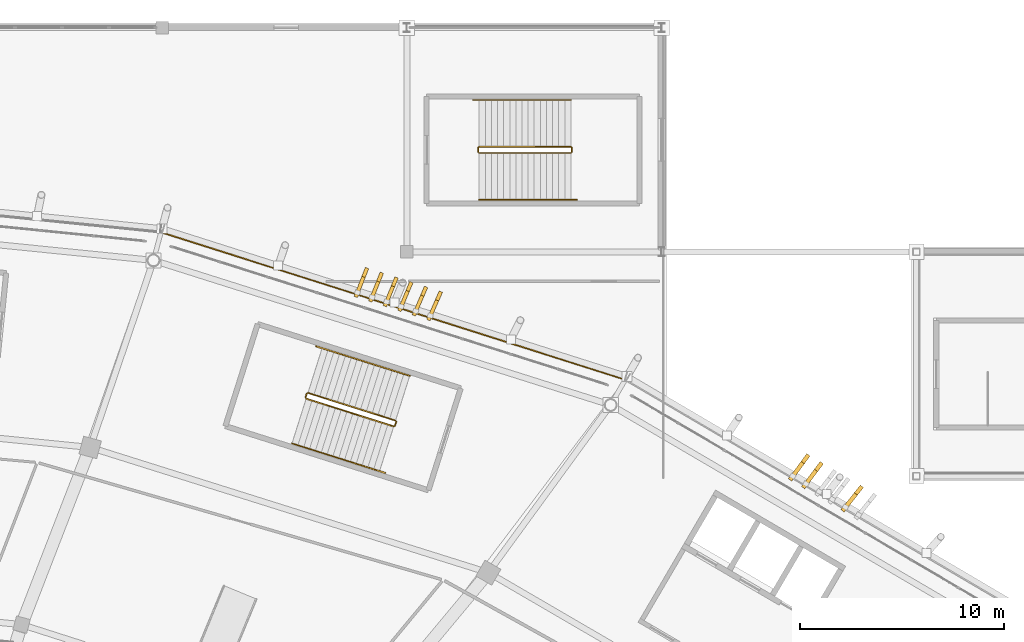
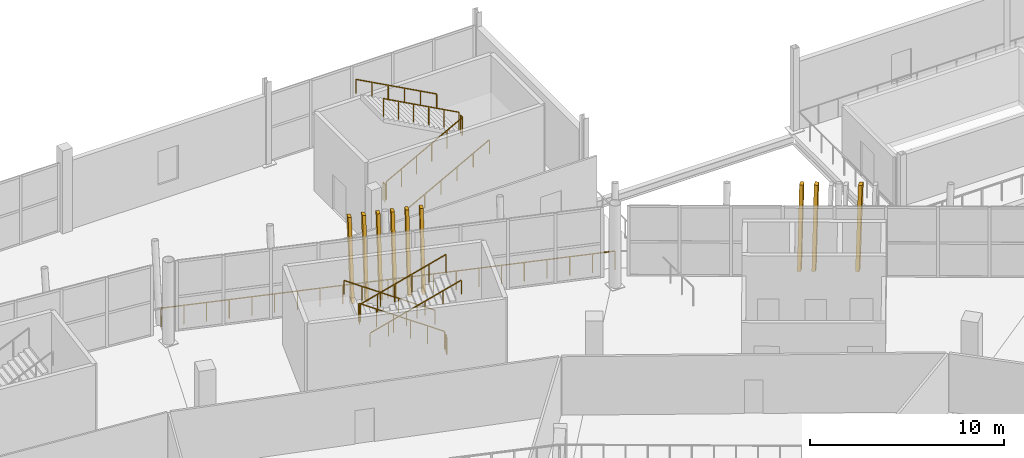
# One storey, part 177 of 178: 13 railings, 9 shading devices.
"""IFC4 building model written with IfcOpenShell, lengths in metres."""

from ifc_helpers import new_model, si_unit, direction, frame, origin, origin_2d, place, context, subcontext, project, spatial, rectangle, extrude, material, material_profile, profile_set, type_object, element, save


model = new_model("IFC4")

# Units and contexts
model_context = context("Model", 3, precision=1e-05, world=origin(), true_north=direction((0.0, 1.0)))
body_context = subcontext(model_context, "Body", "Model", "MODEL_VIEW")
ifc_project = project(units=[si_unit("LENGTHUNIT", "METRE"), si_unit("AREAUNIT", "SQUARE_METRE"), si_unit("VOLUMEUNIT", "CUBIC_METRE"), si_unit("PLANEANGLEUNIT", "RADIAN"), si_unit("MASSUNIT", "GRAM", prefix="KILO")], contexts=[model_context])

# Site, building, storey
site_placement = place(None, origin())
site = spatial("IfcSite", under=ifc_project, at=site_placement, CompositionType="ELEMENT")
building_placement = place(site_placement, origin())
building = spatial("IfcBuilding", under=site, at=building_placement, Name="Zlatoyarsky Gate Stadium", CompositionType="ELEMENT")
storey_placement = place(building_placement, frame((0.0, 0.0, 5.39990234375)))
storey = spatial("IfcBuildingStorey", under=building, at=storey_placement, Name="L01", CompositionType="ELEMENT", Elevation=5.39990234375)

# Railings
ifc_material_1 = material(Name="Powder-coated steel tubular guardrail", Category="steel")
railing_type_1 = type_object("IfcRailingType", Name="CONCOURSE SLAB EDGE GUARDRAIL 1200", PredefinedType="GUARDRAIL", material=ifc_material_1)
railing_1_placement = place(storey_placement, frame((158.214111328125, 142.724853515625, 0.0)))
element("IfcRailing", 1, at=railing_1_placement, inside=storey, type_object=railing_type_1, Name="L01 outer slab edge guardrail 04", PredefinedType="GUARDRAIL", context=body_context, shape_type="SweptSolid", body=[
    extrude(rectangle(XDim=0.048095703125, YDim=0.048095703125, at=origin_2d()), frame((0.0, 0.0, 1.17578125), z_axis=(-0.953052496014, 0.302805118584, 0.0), x_axis=(-0.302805118584, -0.953052496014, 0.0)), (0.0, 0.0, 1.0), 23.89599609375),
    extrude(rectangle(XDim=0.0419921875, YDim=0.0419921875, at=origin_2d()), origin(), (0.0, 0.0, 1.0), 1.15185546875),
    extrude(rectangle(XDim=0.0419921875, YDim=0.0419921875, at=origin_2d()), frame((-1.138671875, 0.36181640625, 0.0)), (0.0, 0.0, 1.0), 1.15185546875),
    extrude(rectangle(XDim=0.0419921875, YDim=0.0419921875, at=origin_2d()), frame((-2.27734375, 0.7236328125, 0.0)), (0.0, 0.0, 1.0), 1.15185546875),
    extrude(rectangle(XDim=0.0419921875, YDim=0.0419921875, at=origin_2d()), frame((-3.416015625, 1.08544921875, 0.0)), (0.0, 0.0, 1.0), 1.15185546875),
    extrude(rectangle(XDim=0.0419921875, YDim=0.0419921875, at=origin_2d()), frame((-4.554931640625, 1.447265625, 0.0)), (0.0, 0.0, 1.0), 1.15185546875),
    extrude(rectangle(XDim=0.0419921875, YDim=0.0419921875, at=origin_2d()), frame((-5.693603515625, 1.80908203125, 0.0)), (0.0, 0.0, 1.0), 1.15185546875),
    extrude(rectangle(XDim=0.0419921875, YDim=0.0419921875, at=origin_2d()), frame((-6.832275390625, 2.170654296875, 0.0)), (0.0, 0.0, 1.0), 1.15185546875),
    extrude(rectangle(XDim=0.0419921875, YDim=0.0419921875, at=origin_2d()), frame((-7.970947265625, 2.532470703125, 0.0)), (0.0, 0.0, 1.0), 1.15185546875),
    extrude(rectangle(XDim=0.0419921875, YDim=0.0419921875, at=origin_2d()), frame((-9.109619140625, 2.894287109375, 0.0)), (0.0, 0.0, 1.0), 1.15185546875),
    extrude(rectangle(XDim=0.0419921875, YDim=0.0419921875, at=origin_2d()), frame((-10.248291015625, 3.256103515625, 0.0)), (0.0, 0.0, 1.0), 1.15185546875),
    extrude(rectangle(XDim=0.0419921875, YDim=0.0419921875, at=origin_2d()), frame((-11.38720703125, 3.617919921875, 0.0)), (0.0, 0.0, 1.0), 1.15185546875),
    extrude(rectangle(XDim=0.0419921875, YDim=0.0419921875, at=origin_2d()), frame((-12.52587890625, 3.979736328125, 0.0)), (0.0, 0.0, 1.0), 1.15185546875),
    extrude(rectangle(XDim=0.0419921875, YDim=0.0419921875, at=origin_2d()), frame((-13.66455078125, 4.341552734375, 0.0)), (0.0, 0.0, 1.0), 1.15185546875),
    extrude(rectangle(XDim=0.0419921875, YDim=0.0419921875, at=origin_2d()), frame((-14.80322265625, 4.703369140625, 0.0)), (0.0, 0.0, 1.0), 1.15185546875),
    extrude(rectangle(XDim=0.0419921875, YDim=0.0419921875, at=origin_2d()), frame((-15.94189453125, 5.065185546875, 0.0)), (0.0, 0.0, 1.0), 1.15185546875),
    extrude(rectangle(XDim=0.0419921875, YDim=0.0419921875, at=origin_2d()), frame((-17.08056640625, 5.4267578125, 0.0)), (0.0, 0.0, 1.0), 1.15185546875),
    extrude(rectangle(XDim=0.0419921875, YDim=0.0419921875, at=origin_2d()), frame((-18.21923828125, 5.78857421875, 0.0)), (0.0, 0.0, 1.0), 1.15185546875),
    extrude(rectangle(XDim=0.0419921875, YDim=0.0419921875, at=origin_2d()), frame((-19.358154296875, 6.150390625, 0.0)), (0.0, 0.0, 1.0), 1.15185546875),
    extrude(rectangle(XDim=0.0419921875, YDim=0.0419921875, at=origin_2d()), frame((-20.496826171875, 6.51220703125, 0.0)), (0.0, 0.0, 1.0), 1.15185546875),
    extrude(rectangle(XDim=0.0419921875, YDim=0.0419921875, at=origin_2d()), frame((-21.635498046875, 6.8740234375, 0.0)), (0.0, 0.0, 1.0), 1.15185546875),
    extrude(rectangle(XDim=0.0419921875, YDim=0.0419921875, at=origin_2d()), frame((-22.774169921875, 7.23583984375, 0.0)), (0.0, 0.0, 1.0), 1.15185546875),
])
ifc_material_2 = material(Name="Powder-coated steel stair guardrail", Category="steel")
railing_type_2 = type_object("IfcRailingType", Name="PAINTED STEEL STAIR WELL GUARDRAIL 1150", PredefinedType="GUARDRAIL", material=ifc_material_2)
railing_2_placement = place(storey_placement, frame((146.94482421875, 140.7236328125, 0.16259765625)))
element("IfcRailing", 2, at=railing_2_placement, inside=storey, type_object=railing_type_2, Name="ST-03 L01 stair guard 1", PredefinedType="GUARDRAIL", context=body_context, shape_type="SweptSolid", body=[
    extrude(rectangle(XDim=0.048095703125, YDim=0.048095703125, at=origin_2d()), frame((0.0, 0.0, 1.1259765625), z_axis=(-0.838373688644, 0.26509858813, 0.476290139264), x_axis=(-0.301492268635, -0.953468621378, 0.0)), (0.0, 0.0, 1.0), 5.11767578125),
    extrude(rectangle(XDim=0.0419921875, YDim=0.0419921875, at=origin_2d()), origin(), (0.0, 0.0, 1.0), 1.101806640625),
    extrude(rectangle(XDim=0.0419921875, YDim=0.0419921875, at=origin_2d()), frame((-0.858154296875, 0.271240234375, 0.487548828125)), (0.0, 0.0, 1.0), 1.101806640625),
    extrude(rectangle(XDim=0.0419921875, YDim=0.0419921875, at=origin_2d()), frame((-1.71630859375, 0.542724609375, 0.97509765625)), (0.0, 0.0, 1.0), 1.101806640625),
    extrude(rectangle(XDim=0.0419921875, YDim=0.0419921875, at=origin_2d()), frame((-2.57421875, 0.81396484375, 1.46240234375)), (0.0, 0.0, 1.0), 1.101806640625),
    extrude(rectangle(XDim=0.0419921875, YDim=0.0419921875, at=origin_2d()), frame((-3.432373046875, 1.08544921875, 1.949951171875)), (0.0, 0.0, 1.0), 1.101806640625),
    extrude(rectangle(XDim=0.0419921875, YDim=0.0419921875, at=origin_2d()), frame((-4.29052734375, 1.356689453125, 2.4375)), (0.0, 0.0, 1.0), 1.101806640625),
])
railing_3_placement = place(storey_placement, frame((142.591552734375, 142.0478515625, 2.60009765625)))
element("IfcRailing", 3, at=railing_3_placement, inside=storey, type_object=railing_type_2, Name="ST-03 L01 stair guard 2", PredefinedType="GUARDRAIL", context=body_context, shape_type="SweptSolid", body=[
    extrude(rectangle(XDim=0.048095703125, YDim=0.048095703125, at=origin_2d()), frame((0.0, 0.0, 1.1259765625), z_axis=(-0.301540327315, -0.953453423615, 0.0), x_axis=(0.953453423615, -0.301540327315, 0.0)), (0.0, 0.0, 1.0), 0.199951171875),
    extrude(rectangle(XDim=0.0419921875, YDim=0.0419921875, at=origin_2d()), origin(), (0.0, 0.0, 1.0), 1.101806640625),
    extrude(rectangle(XDim=0.0419921875, YDim=0.0419921875, at=origin_2d()), frame((-0.060302734375, -0.190673828125, 0.0)), (0.0, 0.0, 1.0), 1.101806640625),
])
railing_4_placement = place(storey_placement, frame((142.563720703125, 141.79443359375, 2.7626953125)))
element("IfcRailing", 4, at=railing_4_placement, inside=storey, type_object=railing_type_2, Name="ST-03 L01 stair guard 3", PredefinedType="GUARDRAIL", context=body_context, shape_type="SweptSolid", body=[
    extrude(rectangle(XDim=0.048095703125, YDim=0.048095703125, at=origin_2d()), frame((0.0, 0.0, 1.1259765625), z_axis=(0.838363085299, -0.26514294003, 0.476284115376), x_axis=(0.301541590324, 0.953453024173, 0.0)), (0.0, 0.0, 1.0), 5.11767578125),
    extrude(rectangle(XDim=0.0419921875, YDim=0.0419921875, at=origin_2d()), origin(), (0.0, 0.0, 1.0), 1.101806640625),
    extrude(rectangle(XDim=0.0419921875, YDim=0.0419921875, at=origin_2d()), frame((0.858154296875, -0.271484375, 0.487548828125)), (0.0, 0.0, 1.0), 1.101806640625),
    extrude(rectangle(XDim=0.0419921875, YDim=0.0419921875, at=origin_2d()), frame((1.71630859375, -0.542724609375, 0.97509765625)), (0.0, 0.0, 1.0), 1.101806640625),
    extrude(rectangle(XDim=0.0419921875, YDim=0.0419921875, at=origin_2d()), frame((2.57421875, -0.814208984375, 1.46240234375)), (0.0, 0.0, 1.0), 1.101806640625),
    extrude(rectangle(XDim=0.0419921875, YDim=0.0419921875, at=origin_2d()), frame((3.432373046875, -1.08544921875, 1.949951171875)), (0.0, 0.0, 1.0), 1.101806640625),
    extrude(rectangle(XDim=0.0419921875, YDim=0.0419921875, at=origin_2d()), frame((4.29052734375, -1.35693359375, 2.4375)), (0.0, 0.0, 1.0), 1.101806640625),
])
railing_5_placement = place(storey_placement, frame((146.977294921875, 140.660888671875, 0.0)))
element("IfcRailing", 5, at=railing_5_placement, inside=storey, type_object=railing_type_2, Name="ST-03 L01 stair guard 4", PredefinedType="GUARDRAIL", context=body_context, shape_type="SweptSolid", body=[
    extrude(rectangle(XDim=0.048095703125, YDim=0.048095703125, at=origin_2d()), frame((0.0, 0.0, 1.1259765625), z_axis=(-0.301540327315, -0.953453423615, 0.0), x_axis=(0.953453423615, -0.301540327315, 0.0)), (0.0, 0.0, 1.0), 0.199951171875),
    extrude(rectangle(XDim=0.0419921875, YDim=0.0419921875, at=origin_2d()), origin(), (0.0, 0.0, 1.0), 1.101806640625),
    extrude(rectangle(XDim=0.0419921875, YDim=0.0419921875, at=origin_2d()), frame((-0.060302734375, -0.190673828125, 0.0)), (0.0, 0.0, 1.0), 1.101806640625),
])
railing_6_placement = place(storey_placement, frame((151.050048828125, 153.85009765625, 0.16259765625)))
element("IfcRailing", 6, at=railing_6_placement, inside=storey, type_object=railing_type_2, Name="ST-32 L01 stair guard 1", PredefinedType="GUARDRAIL", context=body_context, shape_type="SweptSolid", body=[
    extrude(rectangle(XDim=0.048095703125, YDim=0.048095703125, at=origin_2d()), frame((0.0, 0.0, 1.1259765625), z_axis=(0.879291966537, 0.0, 0.476283148541), x_axis=(0.0, 1.0, 0.0)), (0.0, 0.0, 1.0), 5.11767578125),
    extrude(rectangle(XDim=0.0419921875, YDim=0.0419921875, at=origin_2d()), origin(), (0.0, 0.0, 1.0), 1.101806640625),
    extrude(rectangle(XDim=0.0419921875, YDim=0.0419921875, at=origin_2d()), frame((0.89990234375, 0.0, 0.487548828125)), (0.0, 0.0, 1.0), 1.101806640625),
    extrude(rectangle(XDim=0.0419921875, YDim=0.0419921875, at=origin_2d()), frame((1.800048828125, 0.0, 0.97509765625)), (0.0, 0.0, 1.0), 1.101806640625),
    extrude(rectangle(XDim=0.0419921875, YDim=0.0419921875, at=origin_2d()), frame((2.699951171875, 0.0, 1.46240234375)), (0.0, 0.0, 1.0), 1.101806640625),
    extrude(rectangle(XDim=0.0419921875, YDim=0.0419921875, at=origin_2d()), frame((3.60009765625, 0.0, 1.949951171875)), (0.0, 0.0, 1.0), 1.101806640625),
    extrude(rectangle(XDim=0.0419921875, YDim=0.0419921875, at=origin_2d()), frame((4.5, 0.0, 2.4375)), (0.0, 0.0, 1.0), 1.101806640625),
])
railing_7_placement = place(storey_placement, frame((155.60009765625, 153.89990234375, 2.60009765625)))
element("IfcRailing", 7, at=railing_7_placement, inside=storey, type_object=railing_type_2, Name="ST-32 L01 stair guard 2", PredefinedType="GUARDRAIL", context=body_context, shape_type="SweptSolid", body=[
    extrude(rectangle(XDim=0.048095703125, YDim=0.048095703125, at=origin_2d()), frame((0.0, 0.0, 1.1259765625), z_axis=(0.0, 1.0, 0.0), x_axis=(-1.0, 0.0, 0.0)), (0.0, 0.0, 1.0), 0.2001953125),
    extrude(rectangle(XDim=0.0419921875, YDim=0.0419921875, at=origin_2d()), origin(), (0.0, 0.0, 1.0), 1.101806640625),
    extrude(rectangle(XDim=0.0419921875, YDim=0.0419921875, at=origin_2d()), frame((0.0, 0.2001953125, 0.0)), (0.0, 0.0, 1.0), 1.101806640625),
])
railing_8_placement = place(storey_placement, frame((155.550048828125, 154.14990234375, 2.7626953125)))
element("IfcRailing", 8, at=railing_8_placement, inside=storey, type_object=railing_type_2, Name="ST-32 L01 stair guard 3", PredefinedType="GUARDRAIL", context=body_context, shape_type="SweptSolid", body=[
    extrude(rectangle(XDim=0.048095703125, YDim=0.048095703125, at=origin_2d()), frame((0.0, 0.0, 1.1259765625), z_axis=(-0.879291966537, 0.0, 0.476283148541), x_axis=(0.0, -1.0, 0.0)), (0.0, 0.0, 1.0), 5.11767578125),
    extrude(rectangle(XDim=0.0419921875, YDim=0.0419921875, at=origin_2d()), origin(), (0.0, 0.0, 1.0), 1.101806640625),
    extrude(rectangle(XDim=0.0419921875, YDim=0.0419921875, at=origin_2d()), frame((-0.89990234375, 0.0, 0.487548828125)), (0.0, 0.0, 1.0), 1.101806640625),
    extrude(rectangle(XDim=0.0419921875, YDim=0.0419921875, at=origin_2d()), frame((-1.800048828125, 0.0, 0.97509765625)), (0.0, 0.0, 1.0), 1.101806640625),
    extrude(rectangle(XDim=0.0419921875, YDim=0.0419921875, at=origin_2d()), frame((-2.699951171875, 0.0, 1.46240234375)), (0.0, 0.0, 1.0), 1.101806640625),
    extrude(rectangle(XDim=0.0419921875, YDim=0.0419921875, at=origin_2d()), frame((-3.60009765625, 0.0, 1.949951171875)), (0.0, 0.0, 1.0), 1.101806640625),
    extrude(rectangle(XDim=0.0419921875, YDim=0.0419921875, at=origin_2d()), frame((-4.5, 0.0, 2.4375)), (0.0, 0.0, 1.0), 1.101806640625),
])
railing_9_placement = place(storey_placement, frame((151.0, 153.89990234375, 0.0)))
element("IfcRailing", 9, at=railing_9_placement, inside=storey, type_object=railing_type_2, Name="ST-32 L01 stair guard 4", PredefinedType="GUARDRAIL", context=body_context, shape_type="SweptSolid", body=[
    extrude(rectangle(XDim=0.048095703125, YDim=0.048095703125, at=origin_2d()), frame((0.0, 0.0, 1.1259765625), z_axis=(0.0, 1.0, 0.0), x_axis=(-1.0, 0.0, 0.0)), (0.0, 0.0, 1.0), 0.2001953125),
    extrude(rectangle(XDim=0.0419921875, YDim=0.0419921875, at=origin_2d()), origin(), (0.0, 0.0, 1.0), 1.101806640625),
    extrude(rectangle(XDim=0.0419921875, YDim=0.0419921875, at=origin_2d()), frame((0.0, 0.2001953125, 0.0)), (0.0, 0.0, 1.0), 1.101806640625),
])

# Shading devices
ifc_material_3 = material(Name="Precast concrete C40/50 stone-toned architectural rib", Category="masonry")
ifc_material_profile_1 = material_profile(ifc_material_3, rectangle(XDim=0.199951171875, YDim=0.47998046875, at=origin_2d()), Name="RIB 200X480")
ifc_profile_set_1 = profile_set([ifc_material_profile_1], Name="Precast concrete C40/50 stone-toned architectural rib")
shading_device_type_1 = type_object("IfcShadingDeviceType", Name="PRECAST FLUTED GATE LOUVRE BLADE 200X480", PredefinedType="SHUTTER", material=ifc_profile_set_1)
for number, where, z_axis, x_axis, name in (
    (10, (169.0224609375, 136.477783203125, -0.010009765625), (0.136562486548, 0.173196238528, 0.97537364647), (-0.785260537783, 0.619165476913, 0.0), "Leaning bowl louvre fin L01-03-2"),
    (11, (167.08349609375, 137.619140625, -0.010009765625), (0.131982167362, 0.176756379883, 0.975365515932), (-0.801271376225, 0.598301079426, 0.0), "Leaning bowl louvre fin L01-03-5"),
    (12, (166.437255859375, 137.999755859375, -0.010009765625), (0.130456010156, 0.17787605753, 0.975367283423), (-0.806375662804, 0.591403661164, 0.0), "Leaning bowl louvre fin L01-03-6"),
):
    element("IfcShadingDevice", number, at=place(storey_placement, frame(where, z_axis=z_axis, x_axis=x_axis)), inside=storey, type_object=shading_device_type_1, Name=name, PredefinedType="SHUTTER", context=body_context, shape_type="SweptSolid", body=[
        extrude(rectangle(XDim=0.199951171875, YDim=0.47998046875, at=origin_2d()), origin(), (0.0, 0.0, 1.0), 4.79833984375),
    ])
ifc_material_profile_2 = material_profile(ifc_material_3, rectangle(XDim=0.179931640625, YDim=0.47998046875, at=origin_2d()), Name="RIB 180X480")
ifc_profile_set_2 = profile_set([ifc_material_profile_2], Name="Precast concrete C40/50 stone-toned architectural rib")
shading_device_type_2 = type_object("IfcShadingDeviceType", Name="PRECAST RIBBED BOWL LOUVRE FIN 180X480", PredefinedType="JALOUSIE", material=ifc_profile_set_2)
for number, where, z_axis, x_axis, name in (
    (13, (148.652099609375, 145.866455078125, -0.010009765625), (0.08858234327, 0.201994200333, 0.97537249884), (-0.915807560248, 0.40161737088, 0.0), "Leaning bowl louvre fin L01-04-1"),
    (14, (147.937255859375, 146.093505859375, -0.010009765625), (0.086902678707, 0.202755957053, 0.975365544969), (-0.919133099517, 0.393947135251, 0.0), "Leaning bowl louvre fin L01-04-2"),
    (15, (147.222412109375, 146.32080078125, -0.010009765625), (0.085224512749, 0.203419463862, 0.975375468294), (-0.92232437715, 0.386416541202, 0.0), "Leaning bowl louvre fin L01-04-3"),
    (16, (146.5078125, 146.5478515625, -0.010009765625), (0.083545172937, 0.204131080283, 0.975372085997), (-0.92548815227, 0.378776556836, 0.0), "Leaning bowl louvre fin L01-04-4"),
    (17, (145.79296875, 146.775146484375, -0.010009765625), (0.081866425579, 0.204793264733, 0.975375623585), (-0.928556220344, 0.37119179094, 0.0), "Leaning bowl louvre fin L01-04-5"),
    (18, (145.078125, 147.002197265625, -0.010009765625), (0.080186566557, 0.205503516702, 0.975365787367), (-0.93159286034, 0.363503428545, 0.0), "Leaning bowl louvre fin L01-04-6"),
):
    element("IfcShadingDevice", number, at=place(storey_placement, frame(where, z_axis=z_axis, x_axis=x_axis)), inside=storey, type_object=shading_device_type_2, Name=name, PredefinedType="JALOUSIE", context=body_context, shape_type="SweptSolid", body=[
        extrude(rectangle(XDim=0.179931640625, YDim=0.47998046875, at=origin_2d()), origin(), (0.0, 0.0, 1.0), 4.79833984375),
    ])

# Railings
ifc_material_4 = material(Name="Brushed stainless steel 316 handrail", Category="steel")
railing_type_3 = type_object("IfcRailingType", Name="STAINLESS STEEL TUBULAR HANDRAIL 900", PredefinedType="HANDRAIL", material=ifc_material_4)
railing_10_placement = place(storey_placement, frame((147.63818359375, 142.91650390625, 0.16650390625)))
element("IfcRailing", 19, at=railing_10_placement, inside=storey, type_object=railing_type_3, Name="ST-03 L01 stair handrail 1", PredefinedType="HANDRAIL", context=body_context, shape_type="SweptSolid", body=[
    extrude(rectangle(XDim=0.048095703125, YDim=0.048095703125, at=origin_2d()), frame((0.0, 0.0, 0.8759765625), z_axis=(-0.838366559486, 0.265114529213, 0.476293815135), x_axis=(-0.301511080938, -0.953462672616, 0.0)), (0.0, 0.0, 1.0), 5.458984375),
    extrude(rectangle(XDim=0.0419921875, YDim=0.0419921875, at=origin_2d()), origin(), (0.0, 0.0, 1.0), 0.851806640625),
    extrude(rectangle(XDim=0.0419921875, YDim=0.0419921875, at=origin_2d()), frame((-0.915283203125, 0.28955078125, 0.52001953125)), (0.0, 0.0, 1.0), 0.851806640625),
    extrude(rectangle(XDim=0.0419921875, YDim=0.0419921875, at=origin_2d()), frame((-1.83056640625, 0.578857421875, 1.0400390625)), (0.0, 0.0, 1.0), 0.851806640625),
    extrude(rectangle(XDim=0.0419921875, YDim=0.0419921875, at=origin_2d()), frame((-2.74609375, 0.868408203125, 1.56005859375)), (0.0, 0.0, 1.0), 0.851806640625),
    extrude(rectangle(XDim=0.0419921875, YDim=0.0419921875, at=origin_2d()), frame((-3.661376953125, 1.15771484375, 2.080078125)), (0.0, 0.0, 1.0), 0.851806640625),
    extrude(rectangle(XDim=0.0419921875, YDim=0.0419921875, at=origin_2d()), frame((-4.57666015625, 1.447265625, 2.60009765625)), (0.0, 0.0, 1.0), 0.851806640625),
])
railing_11_placement = place(storey_placement, frame((141.870361328125, 139.601318359375, 2.7666015625)))
element("IfcRailing", 20, at=railing_11_placement, inside=storey, type_object=railing_type_3, Name="ST-03 L01 stair handrail 2", PredefinedType="HANDRAIL", context=body_context, shape_type="SweptSolid", body=[
    extrude(rectangle(XDim=0.048095703125, YDim=0.048095703125, at=origin_2d()), frame((0.0, 0.0, 0.8759765625), z_axis=(0.83835326985, -0.265124469654, 0.476311673721), x_axis=(0.301525703453, 0.953458048452, 0.0)), (0.0, 0.0, 1.0), 5.458740234375),
    extrude(rectangle(XDim=0.0419921875, YDim=0.0419921875, at=origin_2d()), origin(), (0.0, 0.0, 1.0), 0.851806640625),
    extrude(rectangle(XDim=0.0419921875, YDim=0.0419921875, at=origin_2d()), frame((0.915283203125, -0.28955078125, 0.52001953125)), (0.0, 0.0, 1.0), 0.851806640625),
    extrude(rectangle(XDim=0.0419921875, YDim=0.0419921875, at=origin_2d()), frame((1.83056640625, -0.578857421875, 1.0400390625)), (0.0, 0.0, 1.0), 0.851806640625),
    extrude(rectangle(XDim=0.0419921875, YDim=0.0419921875, at=origin_2d()), frame((2.745849609375, -0.868408203125, 1.56005859375)), (0.0, 0.0, 1.0), 0.851806640625),
    extrude(rectangle(XDim=0.0419921875, YDim=0.0419921875, at=origin_2d()), frame((3.6611328125, -1.15771484375, 2.080078125)), (0.0, 0.0, 1.0), 0.851806640625),
    extrude(rectangle(XDim=0.0419921875, YDim=0.0419921875, at=origin_2d()), frame((4.576416015625, -1.447265625, 2.60009765625)), (0.0, 0.0, 1.0), 0.851806640625),
])
railing_12_placement = place(storey_placement, frame((151.050048828125, 151.550048828125, 0.16650390625)))
element("IfcRailing", 21, at=railing_12_placement, inside=storey, type_object=railing_type_3, Name="ST-32 L01 stair handrail 1", PredefinedType="HANDRAIL", context=body_context, shape_type="SweptSolid", body=[
    extrude(rectangle(XDim=0.048095703125, YDim=0.048095703125, at=origin_2d()), frame((0.0, 0.0, 0.8759765625), z_axis=(0.879286503747, 0.0, 0.476293233554), x_axis=(0.0, 1.0, 0.0)), (0.0, 0.0, 1.0), 5.458984375),
    extrude(rectangle(XDim=0.0419921875, YDim=0.0419921875, at=origin_2d()), origin(), (0.0, 0.0, 1.0), 0.851806640625),
    extrude(rectangle(XDim=0.0419921875, YDim=0.0419921875, at=origin_2d()), frame((0.9599609375, 0.0, 0.52001953125)), (0.0, 0.0, 1.0), 0.851806640625),
    extrude(rectangle(XDim=0.0419921875, YDim=0.0419921875, at=origin_2d()), frame((1.919921875, 0.0, 1.0400390625)), (0.0, 0.0, 1.0), 0.851806640625),
    extrude(rectangle(XDim=0.0419921875, YDim=0.0419921875, at=origin_2d()), frame((2.880126953125, 0.0, 1.56005859375)), (0.0, 0.0, 1.0), 0.851806640625),
    extrude(rectangle(XDim=0.0419921875, YDim=0.0419921875, at=origin_2d()), frame((3.840087890625, 0.0, 2.080078125)), (0.0, 0.0, 1.0), 0.851806640625),
    extrude(rectangle(XDim=0.0419921875, YDim=0.0419921875, at=origin_2d()), frame((4.800048828125, 0.0, 2.60009765625)), (0.0, 0.0, 1.0), 0.851806640625),
])
railing_13_placement = place(storey_placement, frame((155.550048828125, 156.449951171875, 2.7666015625)))
element("IfcRailing", 22, at=railing_13_placement, inside=storey, type_object=railing_type_3, Name="ST-32 L01 stair handrail 2", PredefinedType="HANDRAIL", context=body_context, shape_type="SweptSolid", body=[
    extrude(rectangle(XDim=0.048095703125, YDim=0.048095703125, at=origin_2d()), frame((0.0, 0.0, 0.8759765625), z_axis=(-0.879286503747, 0.0, 0.476293233554), x_axis=(0.0, -1.0, 0.0)), (0.0, 0.0, 1.0), 5.458984375),
    extrude(rectangle(XDim=0.0419921875, YDim=0.0419921875, at=origin_2d()), origin(), (0.0, 0.0, 1.0), 0.851806640625),
    extrude(rectangle(XDim=0.0419921875, YDim=0.0419921875, at=origin_2d()), frame((-0.9599609375, 0.0, 0.52001953125)), (0.0, 0.0, 1.0), 0.851806640625),
    extrude(rectangle(XDim=0.0419921875, YDim=0.0419921875, at=origin_2d()), frame((-1.919921875, 0.0, 1.0400390625)), (0.0, 0.0, 1.0), 0.851806640625),
    extrude(rectangle(XDim=0.0419921875, YDim=0.0419921875, at=origin_2d()), frame((-2.880126953125, 0.0, 1.56005859375)), (0.0, 0.0, 1.0), 0.851806640625),
    extrude(rectangle(XDim=0.0419921875, YDim=0.0419921875, at=origin_2d()), frame((-3.840087890625, 0.0, 2.080078125)), (0.0, 0.0, 1.0), 0.851806640625),
    extrude(rectangle(XDim=0.0419921875, YDim=0.0419921875, at=origin_2d()), frame((-4.800048828125, 0.0, 2.60009765625)), (0.0, 0.0, 1.0), 0.851806640625),
])

save(model, "model.ifc")
